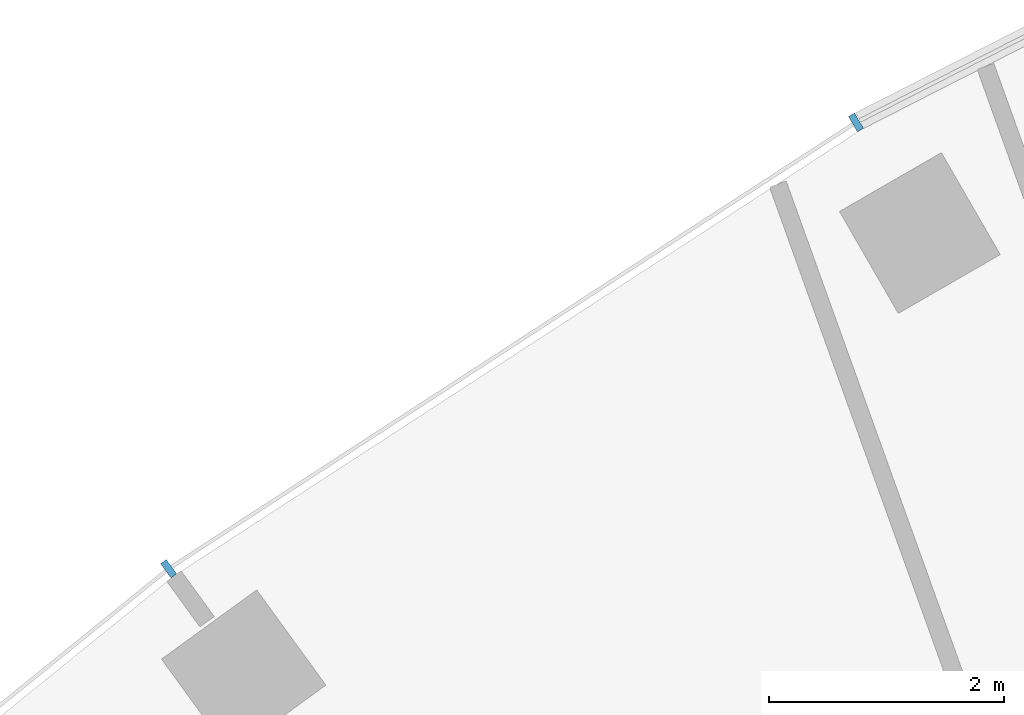
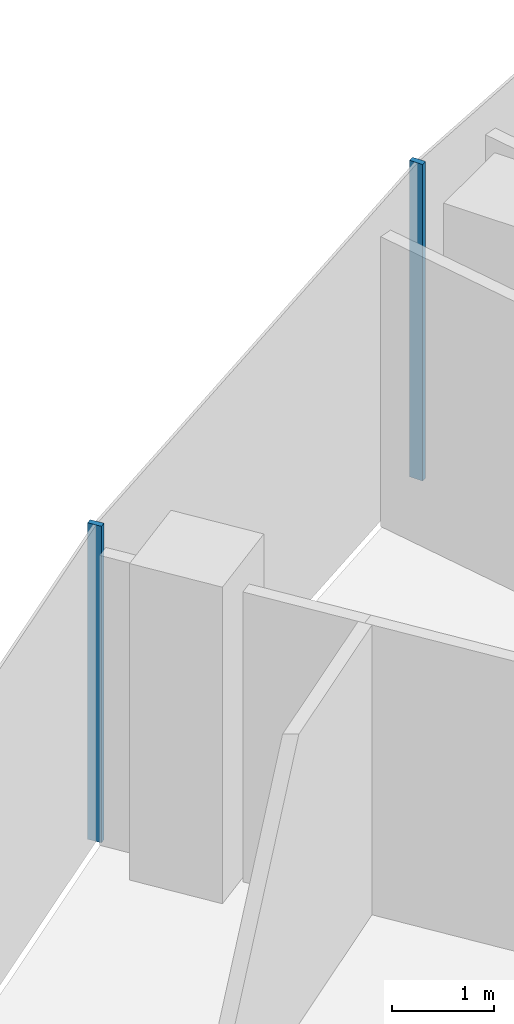
# One storey, part 4 of 21: 2 members, 1 element without a shape of its own.
"""IFC4 building model written with IfcOpenShell, lengths in metres."""

from ifc_helpers import new_model, si_unit, direction, frame, origin, origin_2d, place, context, subcontext, project, spatial, rectangle, extrude, material, layer, layer_set, material_profile, profile_set, type_object, element, aggregate, save


model = new_model("IFC4")

# Units and contexts
model_context = context("Model", 3, precision=1e-05, world=origin(), true_north=direction((0.0, 1.0)))
body_context = subcontext(model_context, "Body", "Model", "MODEL_VIEW")
ifc_project = project(units=[si_unit("LENGTHUNIT", "METRE"), si_unit("AREAUNIT", "SQUARE_METRE"), si_unit("VOLUMEUNIT", "CUBIC_METRE"), si_unit("PLANEANGLEUNIT", "RADIAN"), si_unit("MASSUNIT", "GRAM", prefix="KILO")], contexts=[model_context])

# Site, building, storey
site_placement = place(None, origin())
site = spatial("IfcSite", under=ifc_project, at=site_placement, CompositionType="ELEMENT")
building_placement = place(site_placement, origin())
building = spatial("IfcBuilding", under=site, at=building_placement, Name="Stone Belt Terrace Tower", CompositionType="ELEMENT")
storey_placement = place(building_placement, frame((0.0, 0.0, 151.60009765625)))
storey = spatial("IfcBuildingStorey", under=building, at=storey_placement, Name="L36", CompositionType="ELEMENT", Elevation=151.60009765625)

# Curtain wall, members
ifc_material = material(Name="Aluminium 6063-T6 anodised frame", Category="aluminium")
ifc_layer = layer(ifc_material, 0.14990234375)
ifc_layer_set = layer_set([ifc_layer], Name="CW-A unitised convex-face curtain wall")
curtain_wall_type = type_object("IfcCurtainWallType", Name="CW-A unitised convex-face curtain wall", PredefinedType="NOTDEFINED", material=ifc_layer_set)
curtain_wall_placement = place(storey_placement, origin())
curtain_wall = element("IfcCurtainWall", 1, at=curtain_wall_placement, inside=storey, type_object=curtain_wall_type, Name="CW-A convex face L36", PredefinedType="NOTDEFINED")
ifc_material_profile = material_profile(ifc_material, rectangle(XDim=0.14990234375, YDim=0.06005859375, at=origin_2d()), Name="Aluminium 6063-T6 60x150")
ifc_profile_set = profile_set([ifc_material_profile], Name="Aluminium 6063-T6 anodised frame")
member_type = type_object("IfcMemberType", Name="CW-A mullion 60 x 150", PredefinedType="MULLION", material=ifc_profile_set)
member_1_placement = place(storey_placement, frame((-33.28759765625, 57.65576171875, 0.0), z_axis=(0.0, 0.0, 1.0), x_axis=(0.5, -0.866025403784, 0.0)))
member_1 = element("IfcMember", 2, at=member_1_placement, type_object=member_type, Name="CW-A mullion 14", PredefinedType="MULLION", context=body_context, shape_type="SweptSolid", body=[
    extrude(rectangle(XDim=0.14990234375, YDim=0.06005859375, at=origin_2d()), origin(), (0.0, 0.0, 1.0), 3.7998046875),
])
member_2_placement = place(storey_placement, frame((-39.1318359375, 53.8603515625, 0.0), z_axis=(0.0, 0.0, 1.0), x_axis=(0.587785252292, -0.809016994375, 0.0)))
member_2 = element("IfcMember", 3, at=member_2_placement, type_object=member_type, Name="CW-A mullion 15", PredefinedType="MULLION", context=body_context, shape_type="SweptSolid", body=[
    extrude(rectangle(XDim=0.14990234375, YDim=0.06005859375, at=origin_2d()), origin(), (0.0, 0.0, 1.0), 3.7998046875),
])
aggregate(curtain_wall, [member_1, member_2])

save(model, "model.ifc")
